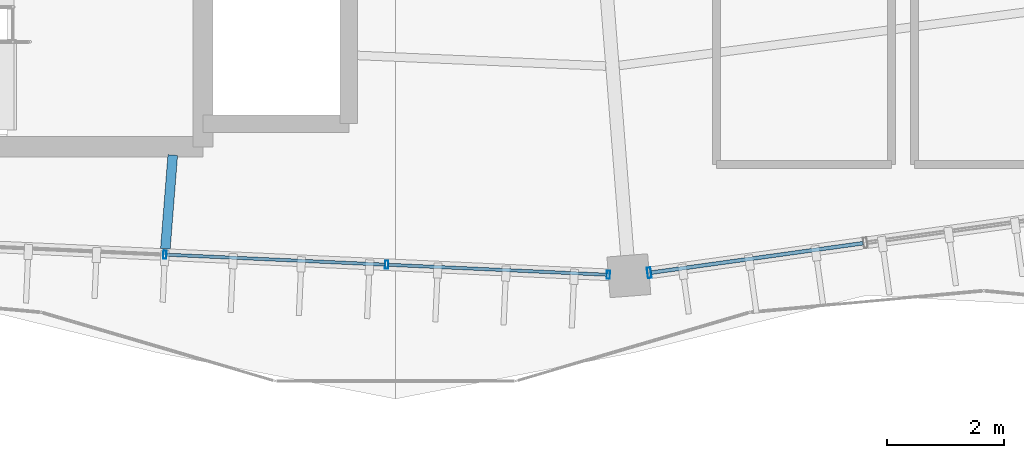
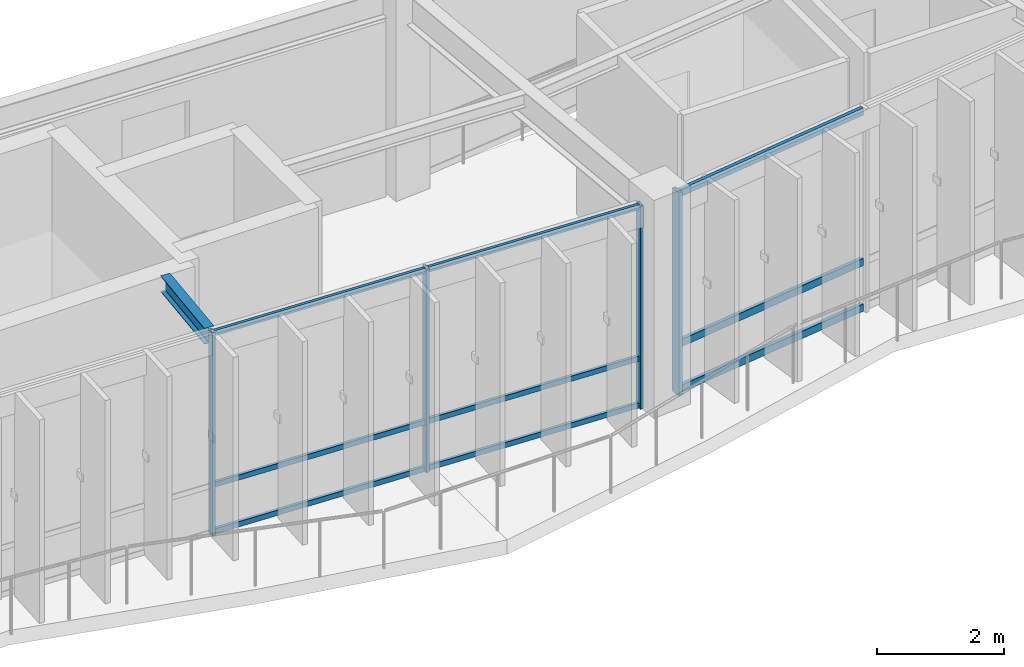
# One storey, part 28 of 138: 13 members, 1 beam, 2 elements without a shape of their own.
"""IFC4 building model written with IfcOpenShell, lengths in metres."""

from ifc_helpers import new_model, si_unit, direction, frame, origin, origin_2d, place, context, subcontext, project, spatial, hollow_rectangle, i_section, extrude, material, material_profile, profile_set, type_object, element, aggregate, save


model = new_model("IFC4")

# Units and contexts
model_context = context("Model", 3, precision=1e-05, world=origin(), true_north=direction((0.0, 1.0)))
body_context = subcontext(model_context, "Body", "Model", "MODEL_VIEW")
ifc_project = project(units=[si_unit("LENGTHUNIT", "METRE"), si_unit("AREAUNIT", "SQUARE_METRE"), si_unit("VOLUMEUNIT", "CUBIC_METRE"), si_unit("PLANEANGLEUNIT", "RADIAN"), si_unit("MASSUNIT", "GRAM", prefix="KILO"), si_unit("THERMODYNAMICTEMPERATUREUNIT", "KELVIN"), si_unit("POWERUNIT", "WATT")], contexts=[model_context])

# Site, building, storey
site_placement = place(None, origin())
site = spatial("IfcSite", under=ifc_project, at=site_placement, CompositionType="ELEMENT")
building_placement = place(site_placement, origin())
building = spatial("IfcBuilding", under=site, at=building_placement, Name="Darbajah Civic Hall", CompositionType="ELEMENT")
storey_placement = place(building_placement, frame((0.0, 0.0, 9.60009765625)))
storey = spatial("IfcBuildingStorey", under=building, at=storey_placement, Name="L02", CompositionType="ELEMENT", Elevation=9.60009765625)

# Curtain wall, members
ifc_material_1 = material(Name="Anodised Bronze Aluminium and Low-E Glazing", Category="aluminium")
curtain_wall_type_1 = type_object("IfcCurtainWallType", Name="Unitised Curtain Wall CW-32 15200x3900", PredefinedType="USERDEFINED", material=ifc_material_1)
curtain_wall_1_placement = place(storey_placement, origin())
curtain_wall_1 = element("IfcCurtainWall", 1, at=curtain_wall_1_placement, inside=storey, type_object=curtain_wall_type_1, Name="L02 unitised curtain wall CW-V1O-L02-14", ObjectType="UNITISED CURTAIN WALL", PredefinedType="USERDEFINED")
ifc_material_2 = material(Name="Anodised Bronze Aluminium", Category="aluminium")
ifc_material_profile_1 = material_profile(ifc_material_2, hollow_rectangle(XDim=0.054931640625, YDim=0.139892578125, WallThickness=0.003173828125, at=origin_2d()), Name="ALU MULLION 55x140")
ifc_profile_set_1 = profile_set([ifc_material_profile_1], Name="Anodised Bronze Aluminium")
member_type_1 = type_object("IfcMemberType", Name="ALU MULLION 55x140", PredefinedType="MULLION", material=ifc_profile_set_1)
member_1_placement = place(storey_placement, frame((85.14794921875, 60.7529296875, 0.0), z_axis=(0.0, 0.0, 1.0), x_axis=(0.998962637241, -0.045537340693, 0.0)))
member_1 = element("IfcMember", 2, at=member_1_placement, type_object=member_type_1, Name="CW-V1O-L02-14 mullion 3", PredefinedType="MULLION", context=body_context, shape_type="SweptSolid", body=[
    extrude(hollow_rectangle(XDim=0.054931640625, YDim=0.139892578125, WallThickness=0.003173828125, at=origin_2d()), origin(), (0.0, 0.0, 1.0), 3.919921875),
])
member_2_placement = place(storey_placement, frame((88.94873046875, 60.579833984375, 0.0), z_axis=(0.0, 0.0, 1.0), x_axis=(0.998962637241, -0.045537340693, 0.0)))
member_2 = element("IfcMember", 3, at=member_2_placement, type_object=member_type_1, Name="CW-V1O-L02-14 mullion 4", PredefinedType="MULLION", context=body_context, shape_type="SweptSolid", body=[
    extrude(hollow_rectangle(XDim=0.054931640625, YDim=0.139892578125, WallThickness=0.003173828125, at=origin_2d()), origin(), (0.0, 0.0, 1.0), 3.919921875),
])
member_3_placement = place(storey_placement, frame((92.749755859375, 60.406982421875, 0.0), z_axis=(0.0, 0.0, 1.0), x_axis=(0.998962637241, -0.045537340693, 0.0)))
member_3 = element("IfcMember", 4, at=member_3_placement, type_object=member_type_1, Name="CW-V1O-L02-14 mullion 5", PredefinedType="MULLION", context=body_context, shape_type="SweptSolid", body=[
    extrude(hollow_rectangle(XDim=0.054931640625, YDim=0.139892578125, WallThickness=0.003173828125, at=origin_2d()), origin(), (0.0, 0.0, 1.0), 3.919921875),
])

# Curtain wall, member
curtain_wall_type_2 = type_object("IfcCurtainWallType", Name="Unitised Curtain Wall CW-49 15000x3900", PredefinedType="USERDEFINED", material=ifc_material_1)
curtain_wall_2_placement = place(storey_placement, origin())
curtain_wall_2 = element("IfcCurtainWall", 5, at=curtain_wall_2_placement, inside=storey, type_object=curtain_wall_type_2, Name="L02 unitised curtain wall CW-V1O-L02-15", ObjectType="UNITISED CURTAIN WALL", PredefinedType="USERDEFINED")
ifc_material_profile_2 = material_profile(ifc_material_2, hollow_rectangle(XDim=0.06494140625, YDim=0.179931640625, WallThickness=0.00390625, at=origin_2d()), Name="ALU MULLION 65x180")
ifc_profile_set_2 = profile_set([ifc_material_profile_2], Name="Anodised Bronze Aluminium")
member_type_2 = type_object("IfcMemberType", Name="ALU MULLION 65x180", PredefinedType="MULLION", material=ifc_profile_set_2)
member_4_placement = place(storey_placement, frame((93.4501953125, 60.439208984375, 0.0), z_axis=(0.0, 0.0, 1.0), x_axis=(0.990485459553, 0.137617420457, 0.0)))
member_4 = element("IfcMember", 6, at=member_4_placement, type_object=member_type_2, Name="CW-V1O-L02-15 mullion 1", PredefinedType="MULLION", context=body_context, shape_type="SweptSolid", body=[
    extrude(hollow_rectangle(XDim=0.06494140625, YDim=0.179931640625, WallThickness=0.00390625, at=origin_2d()), origin(), (0.0, 0.0, 1.0), 3.919921875),
])

# Member
ifc_material_profile_3 = material_profile(ifc_material_2, hollow_rectangle(XDim=0.054931640625, YDim=0.10009765625, WallThickness=0.0029296875, at=origin_2d()), Name="ALU TRANSOM 55x100")
ifc_profile_set_3 = profile_set([ifc_material_profile_3], Name="Anodised Bronze Aluminium")
member_type_3 = type_object("IfcMemberType", Name="ALU TRANSOM 55x100", PredefinedType="USERDEFINED", material=ifc_profile_set_3)
member_5_placement = place(storey_placement, frame((85.180419921875, 60.75146484375, 0.0498046875), z_axis=(0.998964363521, -0.045499455099, 0.0), x_axis=(0.045499455099, 0.998964363521, 0.0)))
member_5 = element("IfcMember", 7, at=member_5_placement, type_object=member_type_3, Name="CW-V1O-L02-14 transom 3.1", ObjectType="TRANSOM", PredefinedType="USERDEFINED", context=body_context, shape_type="SweptSolid", body=[
    extrude(hollow_rectangle(XDim=0.054931640625, YDim=0.10009765625, WallThickness=0.0029296875, at=origin_2d()), origin(), (0.0, 0.0, 1.0), 3.739990234375),
])

member_6_placement = place(storey_placement, frame((85.180419921875, 60.75146484375, 0.949951171875), z_axis=(0.998964363521, -0.045499455099, 0.0), x_axis=(0.045499455099, 0.998964363521, 0.0)))
member_6 = element("IfcMember", 8, at=member_6_placement, type_object=member_type_3, Name="CW-V1O-L02-14 transom 3.2", ObjectType="TRANSOM", PredefinedType="USERDEFINED", context=body_context, shape_type="SweptSolid", body=[
    extrude(hollow_rectangle(XDim=0.054931640625, YDim=0.10009765625, WallThickness=0.0029296875, at=origin_2d()), origin(), (0.0, 0.0, 1.0), 3.739990234375),
])

member_7_placement = place(storey_placement, frame((85.180419921875, 60.75146484375, 3.869873046875), z_axis=(0.998964363521, -0.045499455099, 0.0), x_axis=(0.045499455099, 0.998964363521, 0.0)))
member_7 = element("IfcMember", 9, at=member_7_placement, type_object=member_type_3, Name="CW-V1O-L02-14 transom 3.3", ObjectType="TRANSOM", PredefinedType="USERDEFINED", context=body_context, shape_type="SweptSolid", body=[
    extrude(hollow_rectangle(XDim=0.054931640625, YDim=0.10009765625, WallThickness=0.0029296875, at=origin_2d()), origin(), (0.0, 0.0, 1.0), 3.739990234375),
])

member_8_placement = place(storey_placement, frame((88.981201171875, 60.57861328125, 0.0498046875), z_axis=(0.998964363521, -0.045499455099, 0.0), x_axis=(0.045499455099, 0.998964363521, 0.0)))
member_8 = element("IfcMember", 10, at=member_8_placement, type_object=member_type_3, Name="CW-V1O-L02-14 transom 4.1", ObjectType="TRANSOM", PredefinedType="USERDEFINED", context=body_context, shape_type="SweptSolid", body=[
    extrude(hollow_rectangle(XDim=0.054931640625, YDim=0.10009765625, WallThickness=0.0029296875, at=origin_2d()), origin(), (0.0, 0.0, 1.0), 3.739990234375),
])

member_9_placement = place(storey_placement, frame((88.981201171875, 60.57861328125, 0.949951171875), z_axis=(0.998964363521, -0.045499455099, 0.0), x_axis=(0.045499455099, 0.998964363521, 0.0)))
member_9 = element("IfcMember", 11, at=member_9_placement, type_object=member_type_3, Name="CW-V1O-L02-14 transom 4.2", ObjectType="TRANSOM", PredefinedType="USERDEFINED", context=body_context, shape_type="SweptSolid", body=[
    extrude(hollow_rectangle(XDim=0.054931640625, YDim=0.10009765625, WallThickness=0.0029296875, at=origin_2d()), origin(), (0.0, 0.0, 1.0), 3.739990234375),
])

member_10_placement = place(storey_placement, frame((88.981201171875, 60.57861328125, 3.869873046875), z_axis=(0.998964363521, -0.045499455099, 0.0), x_axis=(0.045499455099, 0.998964363521, 0.0)))
member_10 = element("IfcMember", 12, at=member_10_placement, type_object=member_type_3, Name="CW-V1O-L02-14 transom 4.3", ObjectType="TRANSOM", PredefinedType="USERDEFINED", context=body_context, shape_type="SweptSolid", body=[
    extrude(hollow_rectangle(XDim=0.054931640625, YDim=0.10009765625, WallThickness=0.0029296875, at=origin_2d()), origin(), (0.0, 0.0, 1.0), 3.739990234375),
])

aggregate(curtain_wall_1, [member_1, member_2, member_3, member_5, member_6, member_7, member_8, member_9, member_10])

ifc_material_profile_4 = material_profile(ifc_material_2, hollow_rectangle(XDim=0.06494140625, YDim=0.139892578125, WallThickness=0.00341796875, at=origin_2d()), Name="ALU TRANSOM 65x140")
ifc_profile_set_4 = profile_set([ifc_material_profile_4], Name="Anodised Bronze Aluminium")
member_type_4 = type_object("IfcMemberType", Name="ALU TRANSOM 65x140", PredefinedType="USERDEFINED", material=ifc_profile_set_4)
member_11_placement = place(storey_placement, frame((93.4873046875, 60.444580078125, 0.06982421875), z_axis=(0.990502608104, 0.137493939278, 0.0), x_axis=(-0.137493939278, 0.990502608104, 0.0)))
member_11 = element("IfcMember", 13, at=member_11_placement, type_object=member_type_4, Name="CW-V1O-L02-15 transom 1.1", ObjectType="TRANSOM", PredefinedType="USERDEFINED", context=body_context, shape_type="SweptSolid", body=[
    extrude(hollow_rectangle(XDim=0.06494140625, YDim=0.139892578125, WallThickness=0.00341796875, at=origin_2d()), origin(), (0.0, 0.0, 1.0), 3.6650390625),
])

member_12_placement = place(storey_placement, frame((93.4873046875, 60.444580078125, 0.949951171875), z_axis=(0.990502608104, 0.137493939278, 0.0), x_axis=(-0.137493939278, 0.990502608104, 0.0)))
member_12 = element("IfcMember", 14, at=member_12_placement, type_object=member_type_4, Name="CW-V1O-L02-15 transom 1.2", ObjectType="TRANSOM", PredefinedType="USERDEFINED", context=body_context, shape_type="SweptSolid", body=[
    extrude(hollow_rectangle(XDim=0.06494140625, YDim=0.139892578125, WallThickness=0.00341796875, at=origin_2d()), origin(), (0.0, 0.0, 1.0), 3.6650390625),
])

member_13_placement = place(storey_placement, frame((93.4873046875, 60.444580078125, 3.849853515625), z_axis=(0.990502608104, 0.137493939278, 0.0), x_axis=(-0.137493939278, 0.990502608104, 0.0)))
member_13 = element("IfcMember", 15, at=member_13_placement, type_object=member_type_4, Name="CW-V1O-L02-15 transom 1.3", ObjectType="TRANSOM", PredefinedType="USERDEFINED", context=body_context, shape_type="SweptSolid", body=[
    extrude(hollow_rectangle(XDim=0.06494140625, YDim=0.139892578125, WallThickness=0.00341796875, at=origin_2d()), origin(), (0.0, 0.0, 1.0), 3.6650390625),
])

aggregate(curtain_wall_2, [member_4, member_11, member_12, member_13])

# Beam
ifc_material_3 = material(Name="Steel S355JR", Category="steel")
ifc_material_profile_5 = material_profile(ifc_material_3, i_section(OverallWidth=0.165771484375, OverallDepth=0.306640625, WebThickness=0.006591796875, FlangeThickness=0.01171875, FilletRadius=0.0087890625, at=origin_2d()), Name="UB 305x165x46")
ifc_profile_set_5 = profile_set([ifc_material_profile_5], Name="Steel S355JR")
beam_type = type_object("IfcBeamType", Name="UB 305x165x46", PredefinedType="JOIST", material=ifc_profile_set_5)
beam_placement = place(storey_placement, frame((85.2822265625, 62.4599609375, 3.7666015625), z_axis=(-0.078389217268, -0.996922830823, 0.0), x_axis=(0.996922830823, -0.078389217268, 0.0)))
element("IfcBeam", 16, at=beam_placement, inside=storey, type_object=beam_type, Name="L02 beam SJ-305", PredefinedType="JOIST", context=body_context, shape_type="SweptSolid", body=[
    extrude(i_section(OverallWidth=0.165771484375, OverallDepth=0.306640625, WebThickness=0.006591796875, FlangeThickness=0.01171875, FilletRadius=0.0087890625, at=origin_2d()), origin(), (0.0, 0.0, 1.0), 1.610107421875),
])

save(model, "model.ifc")
